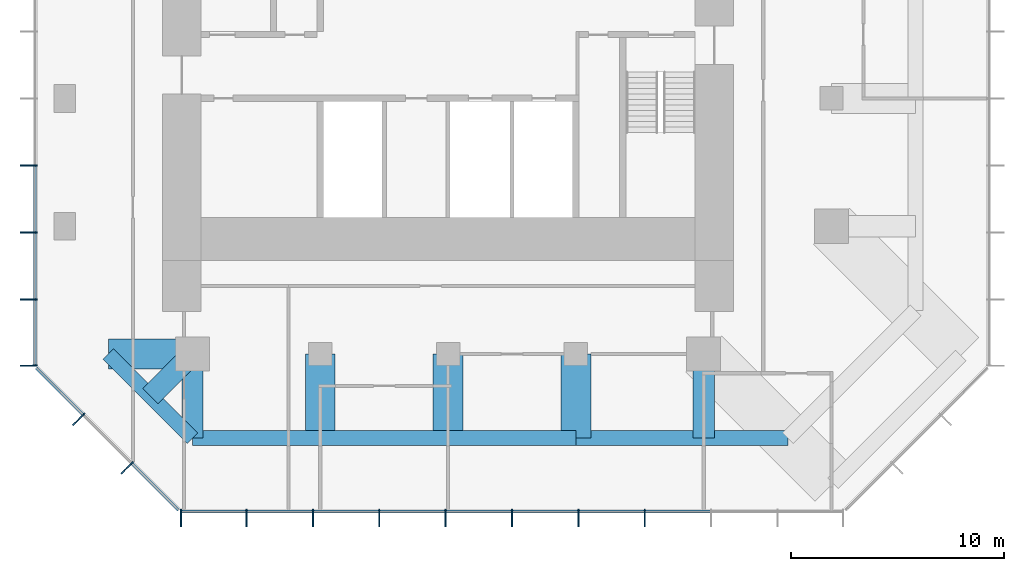
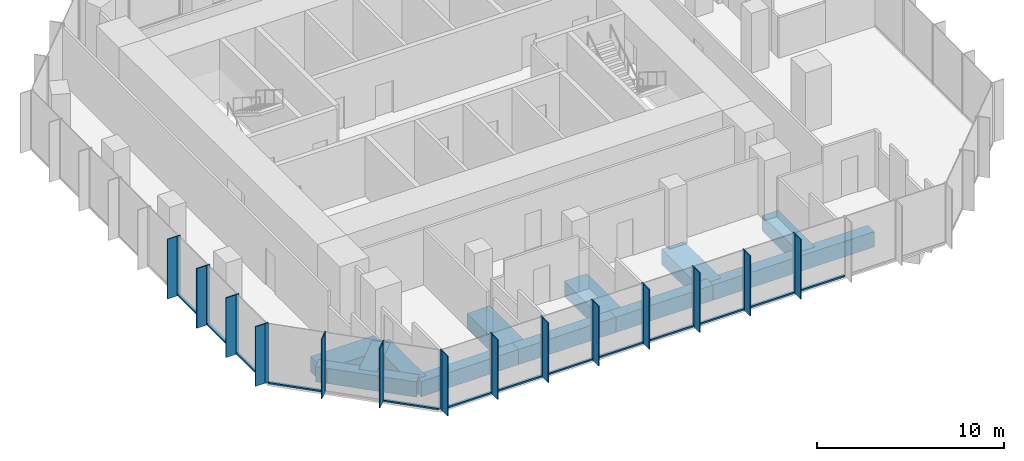
# One storey, part 2 of 11: 41 members, 12 beams, 3 elements without a shape of their own.
"""IFC4 building model written with IfcOpenShell, lengths in metres."""

from ifc_helpers import new_model, si_unit, direction, frame, origin, origin_2d, place, context, subcontext, project, spatial, rectangle, extrude, material, layer, layer_set, material_profile, profile_set, type_object, element, aggregate, save


model = new_model("IFC4")

# Units and contexts
model_context = context("Model", 3, precision=1e-05, world=origin(), true_north=direction((0.0, 1.0)))
body_context = subcontext(model_context, "Body", "Model", "MODEL_VIEW")
ifc_project = project(units=[si_unit("LENGTHUNIT", "METRE"), si_unit("AREAUNIT", "SQUARE_METRE"), si_unit("VOLUMEUNIT", "CUBIC_METRE"), si_unit("PLANEANGLEUNIT", "RADIAN"), si_unit("MASSUNIT", "GRAM", prefix="KILO")], contexts=[model_context])

# Site, building, storey
site_placement = place(None, origin())
site = spatial("IfcSite", under=ifc_project, at=site_placement, CompositionType="ELEMENT")
building_placement = place(site_placement, origin())
building = spatial("IfcBuilding", under=site, at=building_placement, Name="Highveld Stack Headquarters", CompositionType="ELEMENT")
storey_placement = place(building_placement, frame((0.0, 0.0, 287.89990234375)))
storey = spatial("IfcBuildingStorey", under=building, at=storey_placement, Name="L71", CompositionType="ELEMENT", Elevation=287.89990234375)

# Beams
ifc_material_1 = material(Name="Concrete C60/75", Category="concrete")
ifc_material_profile_1 = material_profile(ifc_material_1, rectangle(XDim=1.0, YDim=1.0, at=origin_2d()), Name="RC 1000x1000")
ifc_profile_set_1 = profile_set([ifc_material_profile_1], Name="Concrete C60/75")
beam_type_1 = type_object("IfcBeamType", Name="CANTILEVER RIB RC 1000x1000", PredefinedType="USERDEFINED", material=ifc_profile_set_1)
beam_1_placement = place(storey_placement, frame((-6.0, -12.0, -0.75), z_axis=(0.0, -1.0, 0.0), x_axis=(1.0, 0.0, 0.0)))
element("IfcBeam", 1, at=beam_1_placement, inside=storey, type_object=beam_type_1, Name="Cantilever rib 5/C L71", ObjectType="CANTILEVER RIB", PredefinedType="USERDEFINED", context=body_context, shape_type="SweptSolid", body=[
    extrude(rectangle(XDim=1.0, YDim=1.0, at=origin_2d()), origin(), (0.0, 0.0, 1.0), 3.949951171875),
])
beam_2_placement = place(storey_placement, frame((-6.0, -12.0, -0.75), z_axis=(-0.707106781187, -0.707106781187, 0.0), x_axis=(0.707106781187, -0.707106781187, 0.0)))
element("IfcBeam", 2, at=beam_2_placement, inside=storey, type_object=beam_type_1, Name="Cantilever rib 5/C L71", ObjectType="CANTILEVER RIB", PredefinedType="USERDEFINED", context=body_context, shape_type="SweptSolid", body=[
    extrude(rectangle(XDim=1.0, YDim=1.0, at=origin_2d()), origin(), (0.0, 0.0, 1.0), 2.793212890625),
])
beam_3_placement = place(storey_placement, frame((18.0, -12.0, -0.75), z_axis=(0.0, -1.0, 0.0), x_axis=(1.0, 0.0, 0.0)))
element("IfcBeam", 3, at=beam_3_placement, inside=storey, type_object=beam_type_1, Name="Cantilever rib 9/C L71", ObjectType="CANTILEVER RIB", PredefinedType="USERDEFINED", context=body_context, shape_type="SweptSolid", body=[
    extrude(rectangle(XDim=1.0, YDim=1.0, at=origin_2d()), origin(), (0.0, 0.0, 1.0), 3.949951171875),
])
ifc_material_2 = material(Name="Concrete C60/75", Category="concrete")
ifc_material_profile_2 = material_profile(ifc_material_2, rectangle(XDim=1.39990234375, YDim=1.0, at=origin_2d()), Name="RC 1400x1000")
ifc_profile_set_2 = profile_set([ifc_material_profile_2], Name="Concrete C60/75")
beam_type_2 = type_object("IfcBeamType", Name="CANTILEVER RIB RC 1400x1000", PredefinedType="USERDEFINED", material=ifc_profile_set_2)
for number, where, z_axis, x_axis, name in (
    (4, (-6.0, -12.0, -0.75), (-1.0, 0.0, 0.0), (0.0, -1.0, 0.0), "Cantilever rib 5/C L71"),
    (5, (0.0, -12.0, -0.75), (0.0, -1.0, 0.0), (1.0, 0.0, 0.0), "Cantilever rib 6/C L71"),
    (6, (6.0, -12.0, -0.75), (0.0, -1.0, 0.0), (1.0, 0.0, 0.0), "Cantilever rib 7/C L71"),
    (7, (12.0, -12.0, -0.75), (0.0, -1.0, 0.0), (1.0, 0.0, 0.0), "Cantilever rib 8/C L71"),
):
    element("IfcBeam", number, at=place(storey_placement, frame(where, z_axis=z_axis, x_axis=x_axis)), inside=storey, type_object=beam_type_2, Name=name, ObjectType="CANTILEVER RIB", PredefinedType="USERDEFINED", context=body_context, shape_type="SweptSolid", body=[
        extrude(rectangle(XDim=1.39990234375, YDim=1.0, at=origin_2d()), origin(), (0.0, 0.0, 1.0), 3.949951171875),
    ])

# Curtain wall, members
ifc_material_3 = material(Name="Aluminium bronze anodised", Category="aluminium")
ifc_layer = layer(ifc_material_3, 0.199951171875)
ifc_layer_set = layer_set([ifc_layer], Name="Aluminium bronze anodised")
curtain_wall_type = type_object("IfcCurtainWallType", Name="CW5 EXECUTIVE UNITISED CURTAIN WALL", PredefinedType="NOTDEFINED", material=ifc_layer_set)
curtain_wall_1_placement = place(storey_placement, origin())
curtain_wall_1 = element("IfcCurtainWall", 8, at=curtain_wall_1_placement, inside=storey, type_object=curtain_wall_type, Name="Curtain wall CW5 L71 S", PredefinedType="NOTDEFINED")
ifc_material_4 = material(Name="Aluminium bronze anodised", Category="aluminium")
ifc_material_profile_3 = material_profile(ifc_material_4, rectangle(XDim=0.60009765625, YDim=0.06005859375, at=origin_2d()), Name="FIN 600x60")
ifc_profile_set_3 = profile_set([ifc_material_profile_3], Name="Aluminium bronze anodised")
member_type_1 = type_object("IfcMemberType", Name="CW5 BRONZE FIN 600x60", PredefinedType="USERDEFINED", material=ifc_profile_set_3)
member_1_placement = place(storey_placement, frame((-6.54736328125, -19.800048828125, 0.0), z_axis=(0.0, 0.0, 1.0), x_axis=(0.0, 1.0, 0.0)))
member_1 = element("IfcMember", 9, at=member_1_placement, type_object=member_type_1, Name="CW5 fin L71 1", ObjectType="FIN", PredefinedType="USERDEFINED", context=body_context, shape_type="SweptSolid", body=[
    extrude(rectangle(XDim=0.60009765625, YDim=0.06005859375, at=origin_2d()), origin(), (0.0, 0.0, 1.0), 3.900146484375),
])
member_2_placement = place(storey_placement, frame((-3.4638671875, -19.800048828125, 0.0), z_axis=(0.0, 0.0, 1.0), x_axis=(0.0, 1.0, 0.0)))
member_2 = element("IfcMember", 10, at=member_2_placement, type_object=member_type_1, Name="CW5 fin L71 2", ObjectType="FIN", PredefinedType="USERDEFINED", context=body_context, shape_type="SweptSolid", body=[
    extrude(rectangle(XDim=0.60009765625, YDim=0.06005859375, at=origin_2d()), origin(), (0.0, 0.0, 1.0), 3.900146484375),
])
member_3_placement = place(storey_placement, frame((-0.347900390625, -19.800048828125, 0.0), z_axis=(0.0, 0.0, 1.0), x_axis=(0.0, 1.0, 0.0)))
member_3 = element("IfcMember", 11, at=member_3_placement, type_object=member_type_1, Name="CW5 fin L71 3", ObjectType="FIN", PredefinedType="USERDEFINED", context=body_context, shape_type="SweptSolid", body=[
    extrude(rectangle(XDim=0.60009765625, YDim=0.06005859375, at=origin_2d()), origin(), (0.0, 0.0, 1.0), 3.900146484375),
])
member_4_placement = place(storey_placement, frame((2.76806640625, -19.800048828125, 0.0), z_axis=(0.0, 0.0, 1.0), x_axis=(0.0, 1.0, 0.0)))
member_4 = element("IfcMember", 12, at=member_4_placement, type_object=member_type_1, Name="CW5 fin L71 4", ObjectType="FIN", PredefinedType="USERDEFINED", context=body_context, shape_type="SweptSolid", body=[
    extrude(rectangle(XDim=0.60009765625, YDim=0.06005859375, at=origin_2d()), origin(), (0.0, 0.0, 1.0), 3.900146484375),
])
member_5_placement = place(storey_placement, frame((5.884033203125, -19.800048828125, 0.0), z_axis=(0.0, 0.0, 1.0), x_axis=(0.0, 1.0, 0.0)))
member_5 = element("IfcMember", 13, at=member_5_placement, type_object=member_type_1, Name="CW5 fin L71 5", ObjectType="FIN", PredefinedType="USERDEFINED", context=body_context, shape_type="SweptSolid", body=[
    extrude(rectangle(XDim=0.60009765625, YDim=0.06005859375, at=origin_2d()), origin(), (0.0, 0.0, 1.0), 3.900146484375),
])
member_6_placement = place(storey_placement, frame((9.0, -19.800048828125, 0.0), z_axis=(0.0, 0.0, 1.0), x_axis=(0.0, 1.0, 0.0)))
member_6 = element("IfcMember", 14, at=member_6_placement, type_object=member_type_1, Name="CW5 fin L71 6", ObjectType="FIN", PredefinedType="USERDEFINED", context=body_context, shape_type="SweptSolid", body=[
    extrude(rectangle(XDim=0.60009765625, YDim=0.06005859375, at=origin_2d()), origin(), (0.0, 0.0, 1.0), 3.900146484375),
])
member_7_placement = place(storey_placement, frame((12.115966796875, -19.800048828125, 0.0), z_axis=(0.0, 0.0, 1.0), x_axis=(0.0, 1.0, 0.0)))
member_7 = element("IfcMember", 15, at=member_7_placement, type_object=member_type_1, Name="CW5 fin L71 7", ObjectType="FIN", PredefinedType="USERDEFINED", context=body_context, shape_type="SweptSolid", body=[
    extrude(rectangle(XDim=0.60009765625, YDim=0.06005859375, at=origin_2d()), origin(), (0.0, 0.0, 1.0), 3.900146484375),
])
member_8_placement = place(storey_placement, frame((15.23193359375, -19.800048828125, 0.0), z_axis=(0.0, 0.0, 1.0), x_axis=(0.0, 1.0, 0.0)))
member_8 = element("IfcMember", 16, at=member_8_placement, type_object=member_type_1, Name="CW5 fin L71 8", ObjectType="FIN", PredefinedType="USERDEFINED", context=body_context, shape_type="SweptSolid", body=[
    extrude(rectangle(XDim=0.60009765625, YDim=0.06005859375, at=origin_2d()), origin(), (0.0, 0.0, 1.0), 3.900146484375),
])

curtain_wall_2_placement = place(storey_placement, origin())
curtain_wall_2 = element("IfcCurtainWall", 17, at=curtain_wall_2_placement, inside=storey, type_object=curtain_wall_type, Name="Curtain wall CW5 L71 W", PredefinedType="NOTDEFINED")
member_9_placement = place(storey_placement, frame((-13.800048828125, -3.14501953125, 0.0), z_axis=(0.0, 0.0, 1.0), x_axis=(1.0, 0.0, 0.0)))
member_9 = element("IfcMember", 18, at=member_9_placement, type_object=member_type_1, Name="CW5 fin L71 6", ObjectType="FIN", PredefinedType="USERDEFINED", context=body_context, shape_type="SweptSolid", body=[
    extrude(rectangle(XDim=0.60009765625, YDim=0.06005859375, at=origin_2d()), origin(), (0.0, 0.0, 1.0), 3.900146484375),
])
member_10_placement = place(storey_placement, frame((-13.800048828125, -6.289794921875, 0.0), z_axis=(0.0, 0.0, 1.0), x_axis=(1.0, 0.0, 0.0)))
member_10 = element("IfcMember", 19, at=member_10_placement, type_object=member_type_1, Name="CW5 fin L71 7", ObjectType="FIN", PredefinedType="USERDEFINED", context=body_context, shape_type="SweptSolid", body=[
    extrude(rectangle(XDim=0.60009765625, YDim=0.06005859375, at=origin_2d()), origin(), (0.0, 0.0, 1.0), 3.900146484375),
])
member_11_placement = place(storey_placement, frame((-13.800048828125, -9.434814453125, 0.0), z_axis=(0.0, 0.0, 1.0), x_axis=(1.0, 0.0, 0.0)))
member_11 = element("IfcMember", 20, at=member_11_placement, type_object=member_type_1, Name="CW5 fin L71 8", ObjectType="FIN", PredefinedType="USERDEFINED", context=body_context, shape_type="SweptSolid", body=[
    extrude(rectangle(XDim=0.60009765625, YDim=0.06005859375, at=origin_2d()), origin(), (0.0, 0.0, 1.0), 3.900146484375),
])
member_12_placement = place(storey_placement, frame((-13.800048828125, -12.54736328125, 0.0), z_axis=(0.0, 0.0, 1.0), x_axis=(1.0, 0.0, 0.0)))
member_12 = element("IfcMember", 21, at=member_12_placement, type_object=member_type_1, Name="CW5 fin L71 9", ObjectType="FIN", PredefinedType="USERDEFINED", context=body_context, shape_type="SweptSolid", body=[
    extrude(rectangle(XDim=0.60009765625, YDim=0.06005859375, at=origin_2d()), origin(), (0.0, 0.0, 1.0), 3.900146484375),
])

curtain_wall_3_placement = place(storey_placement, origin())
curtain_wall_3 = element("IfcCurtainWall", 22, at=curtain_wall_3_placement, inside=storey, type_object=curtain_wall_type, Name="Curtain wall CW5 L71 SW", PredefinedType="NOTDEFINED")
member_13_placement = place(storey_placement, frame((-11.409423828125, -15.135986328125, 0.0), z_axis=(0.0, 0.0, 1.0), x_axis=(0.707106781187, 0.707106781187, 0.0)))
member_13 = element("IfcMember", 23, at=member_13_placement, type_object=member_type_1, Name="CW5 fin L71 1", ObjectType="FIN", PredefinedType="USERDEFINED", context=body_context, shape_type="SweptSolid", body=[
    extrude(rectangle(XDim=0.60009765625, YDim=0.06005859375, at=origin_2d()), origin(), (0.0, 0.0, 1.0), 3.900146484375),
])
member_14_placement = place(storey_placement, frame((-9.135986328125, -17.409423828125, 0.0), z_axis=(0.0, 0.0, 1.0), x_axis=(0.707106781187, 0.707106781187, 0.0)))
member_14 = element("IfcMember", 24, at=member_14_placement, type_object=member_type_1, Name="CW5 fin L71 2", ObjectType="FIN", PredefinedType="USERDEFINED", context=body_context, shape_type="SweptSolid", body=[
    extrude(rectangle(XDim=0.60009765625, YDim=0.06005859375, at=origin_2d()), origin(), (0.0, 0.0, 1.0), 3.900146484375),
])

# Member
ifc_material_5 = material(Name="Aluminium bronze anodised", Category="aluminium")
ifc_material_profile_4 = material_profile(ifc_material_5, rectangle(XDim=0.199951171875, YDim=0.06494140625, at=origin_2d()), Name="CW5 MULLION 65x200")
ifc_profile_set_4 = profile_set([ifc_material_profile_4], Name="Aluminium bronze anodised")
member_type_2 = type_object("IfcMemberType", Name="CW5 MULLION 65x200", PredefinedType="MULLION", material=ifc_profile_set_4)
member_15_placement = place(storey_placement, frame((-6.54736328125, -19.39990234375, 0.0), z_axis=(0.0, 0.0, 1.0), x_axis=(0.0, 1.0, 0.0)))
member_15 = element("IfcMember", 25, at=member_15_placement, type_object=member_type_2, Name="CW5 mullion L71 1", PredefinedType="MULLION", context=body_context, shape_type="SweptSolid", body=[
    extrude(rectangle(XDim=0.199951171875, YDim=0.06494140625, at=origin_2d()), origin(), (0.0, 0.0, 1.0), 3.900146484375),
])

member_16_placement = place(storey_placement, frame((-3.4638671875, -19.39990234375, 0.0), z_axis=(0.0, 0.0, 1.0), x_axis=(0.0, 1.0, 0.0)))
member_16 = element("IfcMember", 26, at=member_16_placement, type_object=member_type_2, Name="CW5 mullion L71 2", PredefinedType="MULLION", context=body_context, shape_type="SweptSolid", body=[
    extrude(rectangle(XDim=0.199951171875, YDim=0.06494140625, at=origin_2d()), origin(), (0.0, 0.0, 1.0), 3.900146484375),
])

member_17_placement = place(storey_placement, frame((-0.347900390625, -19.39990234375, 0.0), z_axis=(0.0, 0.0, 1.0), x_axis=(0.0, 1.0, 0.0)))
member_17 = element("IfcMember", 27, at=member_17_placement, type_object=member_type_2, Name="CW5 mullion L71 3", PredefinedType="MULLION", context=body_context, shape_type="SweptSolid", body=[
    extrude(rectangle(XDim=0.199951171875, YDim=0.06494140625, at=origin_2d()), origin(), (0.0, 0.0, 1.0), 3.900146484375),
])

member_18_placement = place(storey_placement, frame((2.76806640625, -19.39990234375, 0.0), z_axis=(0.0, 0.0, 1.0), x_axis=(0.0, 1.0, 0.0)))
member_18 = element("IfcMember", 28, at=member_18_placement, type_object=member_type_2, Name="CW5 mullion L71 4", PredefinedType="MULLION", context=body_context, shape_type="SweptSolid", body=[
    extrude(rectangle(XDim=0.199951171875, YDim=0.06494140625, at=origin_2d()), origin(), (0.0, 0.0, 1.0), 3.900146484375),
])

member_19_placement = place(storey_placement, frame((5.884033203125, -19.39990234375, 0.0), z_axis=(0.0, 0.0, 1.0), x_axis=(0.0, 1.0, 0.0)))
member_19 = element("IfcMember", 29, at=member_19_placement, type_object=member_type_2, Name="CW5 mullion L71 5", PredefinedType="MULLION", context=body_context, shape_type="SweptSolid", body=[
    extrude(rectangle(XDim=0.199951171875, YDim=0.06494140625, at=origin_2d()), origin(), (0.0, 0.0, 1.0), 3.900146484375),
])

member_20_placement = place(storey_placement, frame((9.0, -19.39990234375, 0.0), z_axis=(0.0, 0.0, 1.0), x_axis=(0.0, 1.0, 0.0)))
member_20 = element("IfcMember", 30, at=member_20_placement, type_object=member_type_2, Name="CW5 mullion L71 6", PredefinedType="MULLION", context=body_context, shape_type="SweptSolid", body=[
    extrude(rectangle(XDim=0.199951171875, YDim=0.06494140625, at=origin_2d()), origin(), (0.0, 0.0, 1.0), 3.900146484375),
])

member_21_placement = place(storey_placement, frame((12.115966796875, -19.39990234375, 0.0), z_axis=(0.0, 0.0, 1.0), x_axis=(0.0, 1.0, 0.0)))
member_21 = element("IfcMember", 31, at=member_21_placement, type_object=member_type_2, Name="CW5 mullion L71 7", PredefinedType="MULLION", context=body_context, shape_type="SweptSolid", body=[
    extrude(rectangle(XDim=0.199951171875, YDim=0.06494140625, at=origin_2d()), origin(), (0.0, 0.0, 1.0), 3.900146484375),
])

member_22_placement = place(storey_placement, frame((15.23193359375, -19.39990234375, 0.0), z_axis=(0.0, 0.0, 1.0), x_axis=(0.0, 1.0, 0.0)))
member_22 = element("IfcMember", 32, at=member_22_placement, type_object=member_type_2, Name="CW5 mullion L71 8", PredefinedType="MULLION", context=body_context, shape_type="SweptSolid", body=[
    extrude(rectangle(XDim=0.199951171875, YDim=0.06494140625, at=origin_2d()), origin(), (0.0, 0.0, 1.0), 3.900146484375),
])

member_23_placement = place(storey_placement, frame((-13.39990234375, -3.14501953125, 0.0), z_axis=(0.0, 0.0, 1.0), x_axis=(1.0, 0.0, 0.0)))
member_23 = element("IfcMember", 33, at=member_23_placement, type_object=member_type_2, Name="CW5 mullion L71 6", PredefinedType="MULLION", context=body_context, shape_type="SweptSolid", body=[
    extrude(rectangle(XDim=0.199951171875, YDim=0.06494140625, at=origin_2d()), origin(), (0.0, 0.0, 1.0), 3.900146484375),
])

member_24_placement = place(storey_placement, frame((-13.39990234375, -6.289794921875, 0.0), z_axis=(0.0, 0.0, 1.0), x_axis=(1.0, 0.0, 0.0)))
member_24 = element("IfcMember", 34, at=member_24_placement, type_object=member_type_2, Name="CW5 mullion L71 7", PredefinedType="MULLION", context=body_context, shape_type="SweptSolid", body=[
    extrude(rectangle(XDim=0.199951171875, YDim=0.06494140625, at=origin_2d()), origin(), (0.0, 0.0, 1.0), 3.900146484375),
])

member_25_placement = place(storey_placement, frame((-13.39990234375, -9.434814453125, 0.0), z_axis=(0.0, 0.0, 1.0), x_axis=(1.0, 0.0, 0.0)))
member_25 = element("IfcMember", 35, at=member_25_placement, type_object=member_type_2, Name="CW5 mullion L71 8", PredefinedType="MULLION", context=body_context, shape_type="SweptSolid", body=[
    extrude(rectangle(XDim=0.199951171875, YDim=0.06494140625, at=origin_2d()), origin(), (0.0, 0.0, 1.0), 3.900146484375),
])

member_26_placement = place(storey_placement, frame((-13.39990234375, -12.54736328125, 0.0), z_axis=(0.0, 0.0, 1.0), x_axis=(1.0, 0.0, 0.0)))
member_26 = element("IfcMember", 36, at=member_26_placement, type_object=member_type_2, Name="CW5 mullion L71 9", PredefinedType="MULLION", context=body_context, shape_type="SweptSolid", body=[
    extrude(rectangle(XDim=0.199951171875, YDim=0.06494140625, at=origin_2d()), origin(), (0.0, 0.0, 1.0), 3.900146484375),
])

member_27_placement = place(storey_placement, frame((-11.126708984375, -14.853271484375, 0.0), z_axis=(0.0, 0.0, 1.0), x_axis=(0.707106781187, 0.707106781187, 0.0)))
member_27 = element("IfcMember", 37, at=member_27_placement, type_object=member_type_2, Name="CW5 mullion L71 1", PredefinedType="MULLION", context=body_context, shape_type="SweptSolid", body=[
    extrude(rectangle(XDim=0.199951171875, YDim=0.06494140625, at=origin_2d()), origin(), (0.0, 0.0, 1.0), 3.900146484375),
])

member_28_placement = place(storey_placement, frame((-8.853271484375, -17.126708984375, 0.0), z_axis=(0.0, 0.0, 1.0), x_axis=(0.707106781187, 0.707106781187, 0.0)))
member_28 = element("IfcMember", 38, at=member_28_placement, type_object=member_type_2, Name="CW5 mullion L71 2", PredefinedType="MULLION", context=body_context, shape_type="SweptSolid", body=[
    extrude(rectangle(XDim=0.199951171875, YDim=0.06494140625, at=origin_2d()), origin(), (0.0, 0.0, 1.0), 3.900146484375),
])

ifc_material_6 = material(Name="Aluminium bronze anodised", Category="aluminium")
ifc_material_profile_5 = material_profile(ifc_material_6, rectangle(XDim=0.14990234375, YDim=0.10009765625, at=origin_2d()), Name="CW5 TRANSOM 150x100")
ifc_profile_set_5 = profile_set([ifc_material_profile_5], Name="Aluminium bronze anodised")
member_type_3 = type_object("IfcMemberType", Name="CW5 STACK TRANSOM 150x100", PredefinedType="USERDEFINED", material=ifc_profile_set_5)
member_29_placement = place(storey_placement, frame((-6.514892578125, -19.39990234375, 0.050048828125), z_axis=(1.0, 0.0, 0.0), x_axis=(0.0, 1.0, 0.0)))
member_29 = element("IfcMember", 39, at=member_29_placement, type_object=member_type_3, Name="CW5 transom L71 1.1", ObjectType="TRANSOM", PredefinedType="USERDEFINED", context=body_context, shape_type="SweptSolid", body=[
    extrude(rectangle(XDim=0.14990234375, YDim=0.10009765625, at=origin_2d()), origin(), (0.0, 0.0, 1.0), 3.0185546875),
])

member_30_placement = place(storey_placement, frame((-3.431396484375, -19.39990234375, 0.050048828125), z_axis=(1.0, 0.0, 0.0), x_axis=(0.0, 1.0, 0.0)))
member_30 = element("IfcMember", 40, at=member_30_placement, type_object=member_type_3, Name="CW5 transom L71 2.1", ObjectType="TRANSOM", PredefinedType="USERDEFINED", context=body_context, shape_type="SweptSolid", body=[
    extrude(rectangle(XDim=0.14990234375, YDim=0.10009765625, at=origin_2d()), origin(), (0.0, 0.0, 1.0), 3.051025390625),
])

member_31_placement = place(storey_placement, frame((-0.3154296875, -19.39990234375, 0.050048828125), z_axis=(1.0, 0.0, 0.0), x_axis=(0.0, 1.0, 0.0)))
member_31 = element("IfcMember", 41, at=member_31_placement, type_object=member_type_3, Name="CW5 transom L71 3.1", ObjectType="TRANSOM", PredefinedType="USERDEFINED", context=body_context, shape_type="SweptSolid", body=[
    extrude(rectangle(XDim=0.14990234375, YDim=0.10009765625, at=origin_2d()), origin(), (0.0, 0.0, 1.0), 3.051025390625),
])

member_32_placement = place(storey_placement, frame((2.800537109375, -19.39990234375, 0.050048828125), z_axis=(1.0, 0.0, 0.0), x_axis=(0.0, 1.0, 0.0)))
member_32 = element("IfcMember", 42, at=member_32_placement, type_object=member_type_3, Name="CW5 transom L71 4.1", ObjectType="TRANSOM", PredefinedType="USERDEFINED", context=body_context, shape_type="SweptSolid", body=[
    extrude(rectangle(XDim=0.14990234375, YDim=0.10009765625, at=origin_2d()), origin(), (0.0, 0.0, 1.0), 3.051025390625),
])

member_33_placement = place(storey_placement, frame((5.91650390625, -19.39990234375, 0.050048828125), z_axis=(1.0, 0.0, 0.0), x_axis=(0.0, 1.0, 0.0)))
member_33 = element("IfcMember", 43, at=member_33_placement, type_object=member_type_3, Name="CW5 transom L71 5.1", ObjectType="TRANSOM", PredefinedType="USERDEFINED", context=body_context, shape_type="SweptSolid", body=[
    extrude(rectangle(XDim=0.14990234375, YDim=0.10009765625, at=origin_2d()), origin(), (0.0, 0.0, 1.0), 3.051025390625),
])

member_34_placement = place(storey_placement, frame((9.032470703125, -19.39990234375, 0.050048828125), z_axis=(1.0, 0.0, 0.0), x_axis=(0.0, 1.0, 0.0)))
member_34 = element("IfcMember", 44, at=member_34_placement, type_object=member_type_3, Name="CW5 transom L71 6.1", ObjectType="TRANSOM", PredefinedType="USERDEFINED", context=body_context, shape_type="SweptSolid", body=[
    extrude(rectangle(XDim=0.14990234375, YDim=0.10009765625, at=origin_2d()), origin(), (0.0, 0.0, 1.0), 3.051025390625),
])

member_35_placement = place(storey_placement, frame((12.1484375, -19.39990234375, 0.050048828125), z_axis=(1.0, 0.0, 0.0), x_axis=(0.0, 1.0, 0.0)))
member_35 = element("IfcMember", 45, at=member_35_placement, type_object=member_type_3, Name="CW5 transom L71 7.1", ObjectType="TRANSOM", PredefinedType="USERDEFINED", context=body_context, shape_type="SweptSolid", body=[
    extrude(rectangle(XDim=0.14990234375, YDim=0.10009765625, at=origin_2d()), origin(), (0.0, 0.0, 1.0), 3.051025390625),
])

member_36_placement = place(storey_placement, frame((15.264404296875, -19.39990234375, 0.050048828125), z_axis=(1.0, 0.0, 0.0), x_axis=(0.0, 1.0, 0.0)))
member_36 = element("IfcMember", 46, at=member_36_placement, type_object=member_type_3, Name="CW5 transom L71 8.1", ObjectType="TRANSOM", PredefinedType="USERDEFINED", context=body_context, shape_type="SweptSolid", body=[
    extrude(rectangle(XDim=0.14990234375, YDim=0.10009765625, at=origin_2d()), origin(), (0.0, 0.0, 1.0), 3.051025390625),
])

aggregate(curtain_wall_1, [member_15, member_1, member_16, member_2, member_17, member_3, member_18, member_4, member_19, member_5, member_20, member_6, member_21, member_7, member_22, member_8, member_29, member_30, member_31, member_32, member_33, member_34, member_35, member_36])

member_37_placement = place(storey_placement, frame((-13.39990234375, -3.177490234375, 0.050048828125), z_axis=(0.0, -1.0, 0.0), x_axis=(1.0, 0.0, 0.0)))
member_37 = element("IfcMember", 47, at=member_37_placement, type_object=member_type_3, Name="CW5 transom L71 6.1", ObjectType="TRANSOM", PredefinedType="USERDEFINED", context=body_context, shape_type="SweptSolid", body=[
    extrude(rectangle(XDim=0.14990234375, YDim=0.10009765625, at=origin_2d()), origin(), (0.0, 0.0, 1.0), 3.080078125),
])

member_38_placement = place(storey_placement, frame((-13.39990234375, -6.322509765625, 0.050048828125), z_axis=(0.0, -1.0, 0.0), x_axis=(1.0, 0.0, 0.0)))
member_38 = element("IfcMember", 48, at=member_38_placement, type_object=member_type_3, Name="CW5 transom L71 7.1", ObjectType="TRANSOM", PredefinedType="USERDEFINED", context=body_context, shape_type="SweptSolid", body=[
    extrude(rectangle(XDim=0.14990234375, YDim=0.10009765625, at=origin_2d()), origin(), (0.0, 0.0, 1.0), 3.079833984375),
])

member_39_placement = place(storey_placement, frame((-13.39990234375, -9.46728515625, 0.050048828125), z_axis=(0.0, -1.0, 0.0), x_axis=(1.0, 0.0, 0.0)))
member_39 = element("IfcMember", 49, at=member_39_placement, type_object=member_type_3, Name="CW5 transom L71 8.1", ObjectType="TRANSOM", PredefinedType="USERDEFINED", context=body_context, shape_type="SweptSolid", body=[
    extrude(rectangle(XDim=0.14990234375, YDim=0.10009765625, at=origin_2d()), origin(), (0.0, 0.0, 1.0), 3.047607421875),
])

aggregate(curtain_wall_2, [member_23, member_9, member_24, member_10, member_25, member_11, member_26, member_12, member_37, member_38, member_39])

member_40_placement = place(storey_placement, frame((-13.329345703125, -12.650634765625, 0.050048828125), z_axis=(0.707106781187, -0.707106781187, 0.0), x_axis=(0.707106781187, 0.707106781187, 0.0)))
member_40 = element("IfcMember", 50, at=member_40_placement, type_object=member_type_3, Name="CW5 transom L71 1.1", ObjectType="TRANSOM", PredefinedType="USERDEFINED", context=body_context, shape_type="SweptSolid", body=[
    extrude(rectangle(XDim=0.14990234375, YDim=0.10009765625, at=origin_2d()), origin(), (0.0, 0.0, 1.0), 3.08251953125),
])

member_41_placement = place(storey_placement, frame((-8.830322265625, -17.149658203125, 0.050048828125), z_axis=(0.707106781187, -0.707106781187, 0.0), x_axis=(0.707106781187, 0.707106781187, 0.0)))
member_41 = element("IfcMember", 51, at=member_41_placement, type_object=member_type_3, Name="CW5 transom L71 3.1", ObjectType="TRANSOM", PredefinedType="USERDEFINED", context=body_context, shape_type="SweptSolid", body=[
    extrude(rectangle(XDim=0.14990234375, YDim=0.10009765625, at=origin_2d()), origin(), (0.0, 0.0, 1.0), 3.08251953125),
])

aggregate(curtain_wall_3, [member_27, member_13, member_28, member_14, member_40, member_41])

# Beams
ifc_material_7 = material(Name="Concrete C60/75", Category="concrete")
ifc_material_profile_6 = material_profile(ifc_material_7, rectangle(XDim=0.699951171875, YDim=1.0, at=origin_2d()), Name="RC 700x1000")
ifc_profile_set_6 = profile_set([ifc_material_profile_6], Name="Concrete C60/75")
beam_type_3 = type_object("IfcBeamType", Name="RIB TIP BEAM RC 700x1000", PredefinedType="SPANDREL", material=ifc_profile_set_6)
for number, where, z_axis, x_axis, name in (
    (52, (-6.0, -15.949951171875, -0.75), (1.0, 0.0, 0.0), (0.0, 1.0, 0.0), "Rib tip beam 5/C to 6/C L71"),
    (53, (0.0, -15.949951171875, -0.75), (1.0, 0.0, 0.0), (0.0, 1.0, 0.0), "Rib tip beam 6/C to 7/C L71"),
    (54, (6.0, -15.949951171875, -0.75), (1.0, 0.0, 0.0), (0.0, 1.0, 0.0), "Rib tip beam 7/C to 8/C L71"),
):
    element("IfcBeam", number, at=place(storey_placement, frame(where, z_axis=z_axis, x_axis=x_axis)), inside=storey, type_object=beam_type_3, Name=name, PredefinedType="SPANDREL", context=body_context, shape_type="SweptSolid", body=[
        extrude(rectangle(XDim=0.699951171875, YDim=1.0, at=origin_2d()), origin(), (0.0, 0.0, 1.0), 6.0),
    ])
beam_4_placement = place(storey_placement, frame((12.0, -15.949951171875, -0.75), z_axis=(1.0, 0.0, 0.0), x_axis=(0.0, 1.0, 0.0)))
element("IfcBeam", 55, at=beam_4_placement, inside=storey, type_object=beam_type_3, Name="Rib tip beam 8/C to 9/C L71", PredefinedType="SPANDREL", context=body_context, shape_type="SweptSolid", body=[
    extrude(rectangle(XDim=0.699951171875, YDim=1.0, at=origin_2d()), origin(), (0.0, 0.0, 1.0), 9.949951171875),
])
beam_5_placement = place(storey_placement, frame((-9.949951171875, -12.0, -0.75), z_axis=(0.707106781187, -0.707106781187, 0.0), x_axis=(0.707106781187, 0.707106781187, 0.0)))
element("IfcBeam", 56, at=beam_5_placement, inside=storey, type_object=beam_type_3, Name="Rib tip beam 5/C corner L71", PredefinedType="SPANDREL", context=body_context, shape_type="SweptSolid", body=[
    extrude(rectangle(XDim=0.699951171875, YDim=1.0, at=origin_2d()), origin(), (0.0, 0.0, 1.0), 5.586181640625),
])

save(model, "model.ifc")
